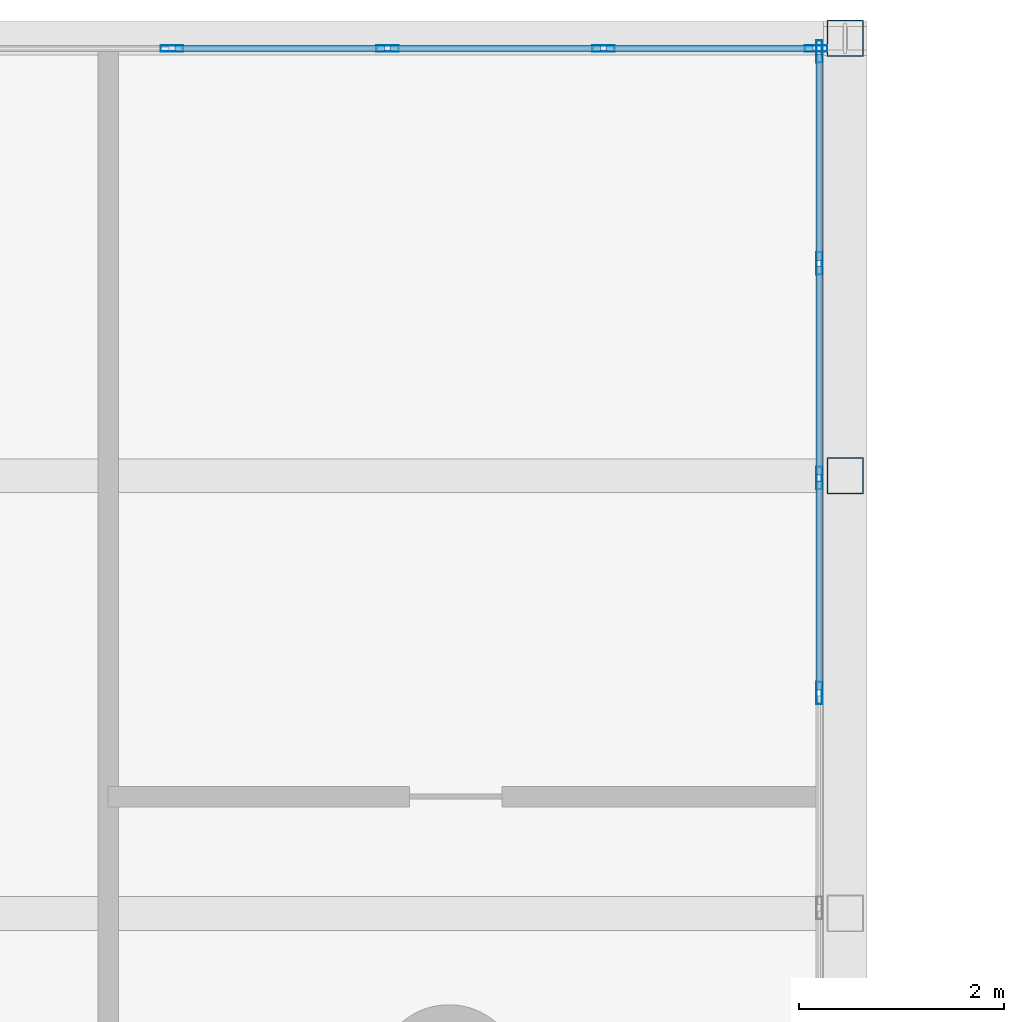
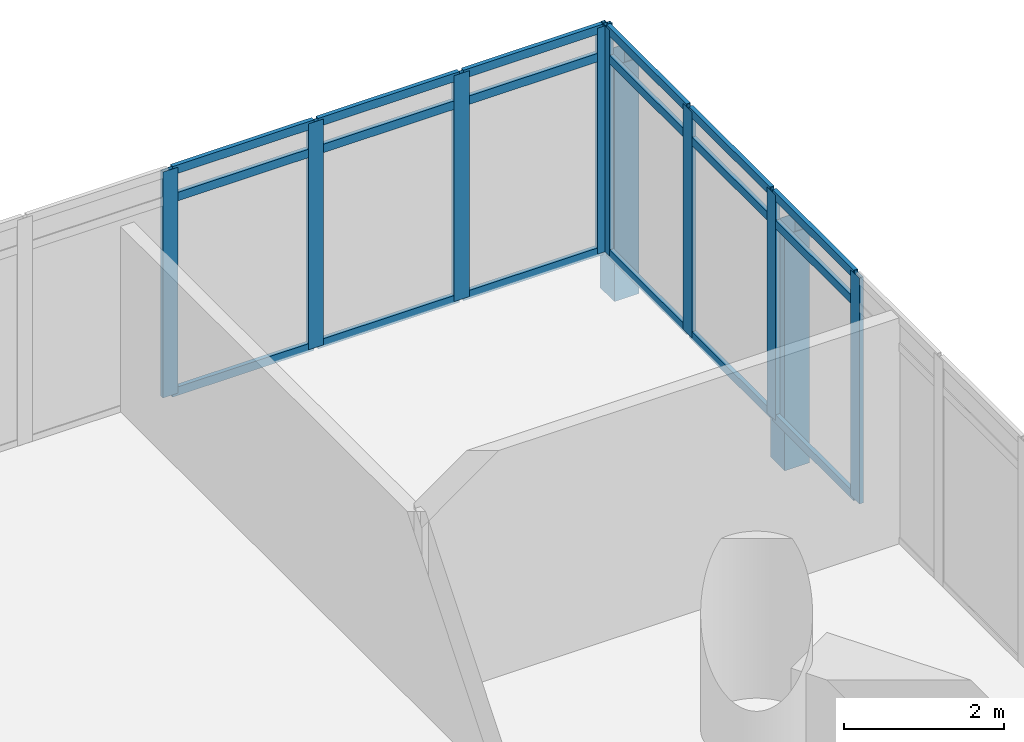
# One storey, part 26 of 38: 28 members, 2 elements without a shape of their own.
"""IFC4 building model written with IfcOpenShell, lengths in metres."""

from ifc_helpers import new_model, si_unit, direction, frame, origin, origin_2d, place, context, subcontext, project, spatial, hollow_rectangle, extrude, material, material_profile, profile_set, type_object, element, aggregate, save


model = new_model("IFC4")

# Units and contexts
model_context = context("Model", 3, precision=1e-05, world=origin(), true_north=direction((0.0, 1.0)))
body_context = subcontext(model_context, "Body", "Model", "MODEL_VIEW")
ifc_project = project(units=[si_unit("LENGTHUNIT", "METRE"), si_unit("AREAUNIT", "SQUARE_METRE"), si_unit("VOLUMEUNIT", "CUBIC_METRE"), si_unit("PLANEANGLEUNIT", "RADIAN"), si_unit("MASSUNIT", "GRAM", prefix="KILO")], contexts=[model_context])

# Site, building, storey
site_placement = place(None, origin())
site = spatial("IfcSite", under=ifc_project, at=site_placement, CompositionType="ELEMENT")
building_placement = place(site_placement, origin())
building = spatial("IfcBuilding", under=site, at=building_placement, Name="Ostrander Bayou Hotel Tower", CompositionType="ELEMENT")
storey_placement = place(building_placement, frame((0.0, 0.0, 65.5)))
storey = spatial("IfcBuildingStorey", under=building, at=storey_placement, Name="L16", CompositionType="ELEMENT", Elevation=65.5)

# Curtain wall, members
ifc_material_1 = material(Name="Aluminium and clear glass", Category="aluminium")
curtain_wall_type = type_object("IfcCurtainWallType", Name="CW-BAR glazed wall", PredefinedType="NOTDEFINED", material=ifc_material_1)
curtain_wall_1_placement = place(storey_placement, origin())
curtain_wall_1 = element("IfcCurtainWall", 1, at=curtain_wall_1_placement, inside=storey, type_object=curtain_wall_type, Name="CW-BAR L16:SB1N:T", PredefinedType="NOTDEFINED")
ifc_material_2 = material(Name="Aluminium", Category="aluminium")
ifc_material_profile_1 = material_profile(ifc_material_2, hollow_rectangle(XDim=0.06005859375, YDim=0.219970703125, WallThickness=0.00390625, at=origin_2d()))
ifc_profile_set_1 = profile_set([ifc_material_profile_1], Name="Aluminium")
member_type_1 = type_object("IfcMemberType", Name="CW-BR mullion 60 x 220 mm", PredefinedType="MULLION", material=ifc_profile_set_1)
member_1_placement = place(storey_placement, frame((8.406982421875, 30.88623046875, 0.0), z_axis=(0.0, 0.0, 1.0), x_axis=(0.0, 1.0, 0.0)))
member_1 = element("IfcMember", 2, at=member_1_placement, type_object=member_type_1, Name="CW-BAR mullion 12", PredefinedType="MULLION", context=body_context, shape_type="SweptSolid", body=[
    extrude(hollow_rectangle(XDim=0.06005859375, YDim=0.219970703125, WallThickness=0.00390625, at=origin_2d()), origin(), (0.0, 0.0, 1.0), 3.449951171875),
])
member_2_placement = place(storey_placement, frame((10.5087890625, 30.88623046875, 0.0), z_axis=(0.0, 0.0, 1.0), x_axis=(0.0, 1.0, 0.0)))
member_2 = element("IfcMember", 3, at=member_2_placement, type_object=member_type_1, Name="CW-BAR mullion 13", PredefinedType="MULLION", context=body_context, shape_type="SweptSolid", body=[
    extrude(hollow_rectangle(XDim=0.06005859375, YDim=0.219970703125, WallThickness=0.00390625, at=origin_2d()), origin(), (0.0, 0.0, 1.0), 3.449951171875),
])
member_3_placement = place(storey_placement, frame((12.6103515625, 30.88623046875, 0.0), z_axis=(0.0, 0.0, 1.0), x_axis=(0.0, 1.0, 0.0)))
member_3 = element("IfcMember", 4, at=member_3_placement, type_object=member_type_1, Name="CW-BAR mullion 14", PredefinedType="MULLION", context=body_context, shape_type="SweptSolid", body=[
    extrude(hollow_rectangle(XDim=0.06005859375, YDim=0.219970703125, WallThickness=0.00390625, at=origin_2d()), origin(), (0.0, 0.0, 1.0), 3.449951171875),
])
member_4_placement = place(storey_placement, frame((14.68212890625, 30.88623046875, 0.0), z_axis=(0.0, 0.0, 1.0), x_axis=(0.0, 1.0, 0.0)))
member_4 = element("IfcMember", 5, at=member_4_placement, type_object=member_type_1, Name="CW-BAR mullion 15", PredefinedType="MULLION", context=body_context, shape_type="SweptSolid", body=[
    extrude(hollow_rectangle(XDim=0.06005859375, YDim=0.219970703125, WallThickness=0.00390625, at=origin_2d()), origin(), (0.0, 0.0, 1.0), 3.449951171875),
])

curtain_wall_2_placement = place(storey_placement, origin())
curtain_wall_2 = element("IfcCurtainWall", 6, at=curtain_wall_2_placement, inside=storey, type_object=curtain_wall_type, Name="CW-BAR L16:SB1N:W", PredefinedType="NOTDEFINED")
member_5_placement = place(storey_placement, frame((14.712158203125, 24.60888671875, 0.0), z_axis=(0.0, 0.0, 1.0), x_axis=(-1.0, 0.0, 0.0)))
member_5 = element("IfcMember", 7, at=member_5_placement, type_object=member_type_1, Name="CW-BAR mullion 6", PredefinedType="MULLION", context=body_context, shape_type="SweptSolid", body=[
    extrude(hollow_rectangle(XDim=0.06005859375, YDim=0.219970703125, WallThickness=0.00390625, at=origin_2d()), origin(), (0.0, 0.0, 1.0), 3.449951171875),
])
member_6_placement = place(storey_placement, frame((14.712158203125, 26.701416015625, 0.0), z_axis=(0.0, 0.0, 1.0), x_axis=(-1.0, 0.0, 0.0)))
member_6 = element("IfcMember", 8, at=member_6_placement, type_object=member_type_1, Name="CW-BAR mullion 7", PredefinedType="MULLION", context=body_context, shape_type="SweptSolid", body=[
    extrude(hollow_rectangle(XDim=0.06005859375, YDim=0.219970703125, WallThickness=0.00390625, at=origin_2d()), origin(), (0.0, 0.0, 1.0), 3.449951171875),
])
member_7_placement = place(storey_placement, frame((14.712158203125, 28.793701171875, 0.0), z_axis=(0.0, 0.0, 1.0), x_axis=(-1.0, 0.0, 0.0)))
member_7 = element("IfcMember", 9, at=member_7_placement, type_object=member_type_1, Name="CW-BAR mullion 8", PredefinedType="MULLION", context=body_context, shape_type="SweptSolid", body=[
    extrude(hollow_rectangle(XDim=0.06005859375, YDim=0.219970703125, WallThickness=0.00390625, at=origin_2d()), origin(), (0.0, 0.0, 1.0), 3.449951171875),
])
member_8_placement = place(storey_placement, frame((14.712158203125, 30.856201171875, 0.0), z_axis=(0.0, 0.0, 1.0), x_axis=(-1.0, 0.0, 0.0)))
member_8 = element("IfcMember", 10, at=member_8_placement, type_object=member_type_1, Name="CW-BAR mullion 9", PredefinedType="MULLION", context=body_context, shape_type="SweptSolid", body=[
    extrude(hollow_rectangle(XDim=0.06005859375, YDim=0.219970703125, WallThickness=0.00390625, at=origin_2d()), origin(), (0.0, 0.0, 1.0), 3.449951171875),
])

# Member
ifc_material_3 = material(Name="Aluminium", Category="aluminium")
ifc_material_profile_2 = material_profile(ifc_material_3, hollow_rectangle(XDim=0.06005859375, YDim=0.1298828125, WallThickness=0.00390625, at=origin_2d()))
ifc_profile_set_2 = profile_set([ifc_material_profile_2], Name="Aluminium")
member_type_2 = type_object("IfcMemberType", Name="CW-BR transom 60 x 130 mm", PredefinedType="USERDEFINED", material=ifc_profile_set_2)
member_9_placement = place(storey_placement, frame((8.43701171875, 30.88623046875, 0.030029296875), z_axis=(1.0, 0.0, 0.0), x_axis=(0.0, 1.0, 0.0)))
member_9 = element("IfcMember", 11, at=member_9_placement, type_object=member_type_2, Name="CW-BAR transom 12.1", ObjectType="TRANSOM", PredefinedType="USERDEFINED", context=body_context, shape_type="SweptSolid", body=[
    extrude(hollow_rectangle(XDim=0.06005859375, YDim=0.1298828125, WallThickness=0.00390625, at=origin_2d()), origin(), (0.0, 0.0, 1.0), 2.041748046875),
])

member_10_placement = place(storey_placement, frame((8.43701171875, 30.88623046875, 3.0), z_axis=(1.0, 0.0, 0.0), x_axis=(0.0, 1.0, 0.0)))
member_10 = element("IfcMember", 12, at=member_10_placement, type_object=member_type_2, Name="CW-BAR transom 12.2", ObjectType="TRANSOM", PredefinedType="USERDEFINED", context=body_context, shape_type="SweptSolid", body=[
    extrude(hollow_rectangle(XDim=0.06005859375, YDim=0.1298828125, WallThickness=0.00390625, at=origin_2d()), origin(), (0.0, 0.0, 1.0), 2.041748046875),
])

member_11_placement = place(storey_placement, frame((8.43701171875, 30.88623046875, 3.419921875), z_axis=(1.0, 0.0, 0.0), x_axis=(0.0, 1.0, 0.0)))
member_11 = element("IfcMember", 13, at=member_11_placement, type_object=member_type_2, Name="CW-BAR transom 12.3", ObjectType="TRANSOM", PredefinedType="USERDEFINED", context=body_context, shape_type="SweptSolid", body=[
    extrude(hollow_rectangle(XDim=0.06005859375, YDim=0.1298828125, WallThickness=0.00390625, at=origin_2d()), origin(), (0.0, 0.0, 1.0), 2.041748046875),
])

member_12_placement = place(storey_placement, frame((10.538818359375, 30.88623046875, 0.030029296875), z_axis=(1.0, 0.0, 0.0), x_axis=(0.0, 1.0, 0.0)))
member_12 = element("IfcMember", 14, at=member_12_placement, type_object=member_type_2, Name="CW-BAR transom 13.1", ObjectType="TRANSOM", PredefinedType="USERDEFINED", context=body_context, shape_type="SweptSolid", body=[
    extrude(hollow_rectangle(XDim=0.06005859375, YDim=0.1298828125, WallThickness=0.00390625, at=origin_2d()), origin(), (0.0, 0.0, 1.0), 2.041748046875),
])

member_13_placement = place(storey_placement, frame((10.538818359375, 30.88623046875, 3.0), z_axis=(1.0, 0.0, 0.0), x_axis=(0.0, 1.0, 0.0)))
member_13 = element("IfcMember", 15, at=member_13_placement, type_object=member_type_2, Name="CW-BAR transom 13.2", ObjectType="TRANSOM", PredefinedType="USERDEFINED", context=body_context, shape_type="SweptSolid", body=[
    extrude(hollow_rectangle(XDim=0.06005859375, YDim=0.1298828125, WallThickness=0.00390625, at=origin_2d()), origin(), (0.0, 0.0, 1.0), 2.041748046875),
])

member_14_placement = place(storey_placement, frame((10.538818359375, 30.88623046875, 3.419921875), z_axis=(1.0, 0.0, 0.0), x_axis=(0.0, 1.0, 0.0)))
member_14 = element("IfcMember", 16, at=member_14_placement, type_object=member_type_2, Name="CW-BAR transom 13.3", ObjectType="TRANSOM", PredefinedType="USERDEFINED", context=body_context, shape_type="SweptSolid", body=[
    extrude(hollow_rectangle(XDim=0.06005859375, YDim=0.1298828125, WallThickness=0.00390625, at=origin_2d()), origin(), (0.0, 0.0, 1.0), 2.041748046875),
])

member_15_placement = place(storey_placement, frame((12.640380859375, 30.88623046875, 0.030029296875), z_axis=(1.0, 0.0, 0.0), x_axis=(0.0, 1.0, 0.0)))
member_15 = element("IfcMember", 17, at=member_15_placement, type_object=member_type_2, Name="CW-BAR transom 14.1", ObjectType="TRANSOM", PredefinedType="USERDEFINED", context=body_context, shape_type="SweptSolid", body=[
    extrude(hollow_rectangle(XDim=0.06005859375, YDim=0.1298828125, WallThickness=0.00390625, at=origin_2d()), origin(), (0.0, 0.0, 1.0), 2.01171875),
])

member_16_placement = place(storey_placement, frame((12.640380859375, 30.88623046875, 3.0), z_axis=(1.0, 0.0, 0.0), x_axis=(0.0, 1.0, 0.0)))
member_16 = element("IfcMember", 18, at=member_16_placement, type_object=member_type_2, Name="CW-BAR transom 14.2", ObjectType="TRANSOM", PredefinedType="USERDEFINED", context=body_context, shape_type="SweptSolid", body=[
    extrude(hollow_rectangle(XDim=0.06005859375, YDim=0.1298828125, WallThickness=0.00390625, at=origin_2d()), origin(), (0.0, 0.0, 1.0), 2.01171875),
])

member_17_placement = place(storey_placement, frame((12.640380859375, 30.88623046875, 3.419921875), z_axis=(1.0, 0.0, 0.0), x_axis=(0.0, 1.0, 0.0)))
member_17 = element("IfcMember", 19, at=member_17_placement, type_object=member_type_2, Name="CW-BAR transom 14.3", ObjectType="TRANSOM", PredefinedType="USERDEFINED", context=body_context, shape_type="SweptSolid", body=[
    extrude(hollow_rectangle(XDim=0.06005859375, YDim=0.1298828125, WallThickness=0.00390625, at=origin_2d()), origin(), (0.0, 0.0, 1.0), 2.01171875),
])

aggregate(curtain_wall_1, [member_1, member_2, member_3, member_4, member_9, member_10, member_11, member_12, member_13, member_14, member_15, member_16, member_17])

member_18_placement = place(storey_placement, frame((14.712158203125, 24.638916015625, 0.030029296875), z_axis=(0.0, 1.0, 0.0), x_axis=(-1.0, 0.0, 0.0)))
member_18 = element("IfcMember", 20, at=member_18_placement, type_object=member_type_2, Name="CW-BAR transom 6.1", ObjectType="TRANSOM", PredefinedType="USERDEFINED", context=body_context, shape_type="SweptSolid", body=[
    extrude(hollow_rectangle(XDim=0.06005859375, YDim=0.1298828125, WallThickness=0.00390625, at=origin_2d()), origin(), (0.0, 0.0, 1.0), 2.032470703125),
])

member_19_placement = place(storey_placement, frame((14.712158203125, 24.638916015625, 3.0), z_axis=(0.0, 1.0, 0.0), x_axis=(-1.0, 0.0, 0.0)))
member_19 = element("IfcMember", 21, at=member_19_placement, type_object=member_type_2, Name="CW-BAR transom 6.2", ObjectType="TRANSOM", PredefinedType="USERDEFINED", context=body_context, shape_type="SweptSolid", body=[
    extrude(hollow_rectangle(XDim=0.06005859375, YDim=0.1298828125, WallThickness=0.00390625, at=origin_2d()), origin(), (0.0, 0.0, 1.0), 2.032470703125),
])

member_20_placement = place(storey_placement, frame((14.712158203125, 24.638916015625, 3.419921875), z_axis=(0.0, 1.0, 0.0), x_axis=(-1.0, 0.0, 0.0)))
member_20 = element("IfcMember", 22, at=member_20_placement, type_object=member_type_2, Name="CW-BAR transom 6.3", ObjectType="TRANSOM", PredefinedType="USERDEFINED", context=body_context, shape_type="SweptSolid", body=[
    extrude(hollow_rectangle(XDim=0.06005859375, YDim=0.1298828125, WallThickness=0.00390625, at=origin_2d()), origin(), (0.0, 0.0, 1.0), 2.032470703125),
])

member_21_placement = place(storey_placement, frame((14.712158203125, 26.7314453125, 0.030029296875), z_axis=(0.0, 1.0, 0.0), x_axis=(-1.0, 0.0, 0.0)))
member_21 = element("IfcMember", 23, at=member_21_placement, type_object=member_type_2, Name="CW-BAR transom 7.1", ObjectType="TRANSOM", PredefinedType="USERDEFINED", context=body_context, shape_type="SweptSolid", body=[
    extrude(hollow_rectangle(XDim=0.06005859375, YDim=0.1298828125, WallThickness=0.00390625, at=origin_2d()), origin(), (0.0, 0.0, 1.0), 2.0322265625),
])

member_22_placement = place(storey_placement, frame((14.712158203125, 26.7314453125, 3.0), z_axis=(0.0, 1.0, 0.0), x_axis=(-1.0, 0.0, 0.0)))
member_22 = element("IfcMember", 24, at=member_22_placement, type_object=member_type_2, Name="CW-BAR transom 7.2", ObjectType="TRANSOM", PredefinedType="USERDEFINED", context=body_context, shape_type="SweptSolid", body=[
    extrude(hollow_rectangle(XDim=0.06005859375, YDim=0.1298828125, WallThickness=0.00390625, at=origin_2d()), origin(), (0.0, 0.0, 1.0), 2.0322265625),
])

member_23_placement = place(storey_placement, frame((14.712158203125, 26.7314453125, 3.419921875), z_axis=(0.0, 1.0, 0.0), x_axis=(-1.0, 0.0, 0.0)))
member_23 = element("IfcMember", 25, at=member_23_placement, type_object=member_type_2, Name="CW-BAR transom 7.3", ObjectType="TRANSOM", PredefinedType="USERDEFINED", context=body_context, shape_type="SweptSolid", body=[
    extrude(hollow_rectangle(XDim=0.06005859375, YDim=0.1298828125, WallThickness=0.00390625, at=origin_2d()), origin(), (0.0, 0.0, 1.0), 2.0322265625),
])

member_24_placement = place(storey_placement, frame((14.712158203125, 28.82373046875, 0.030029296875), z_axis=(0.0, 1.0, 0.0), x_axis=(-1.0, 0.0, 0.0)))
member_24 = element("IfcMember", 26, at=member_24_placement, type_object=member_type_2, Name="CW-BAR transom 8.1", ObjectType="TRANSOM", PredefinedType="USERDEFINED", context=body_context, shape_type="SweptSolid", body=[
    extrude(hollow_rectangle(XDim=0.06005859375, YDim=0.1298828125, WallThickness=0.00390625, at=origin_2d()), origin(), (0.0, 0.0, 1.0), 2.00244140625),
])

member_25_placement = place(storey_placement, frame((14.712158203125, 28.82373046875, 3.0), z_axis=(0.0, 1.0, 0.0), x_axis=(-1.0, 0.0, 0.0)))
member_25 = element("IfcMember", 27, at=member_25_placement, type_object=member_type_2, Name="CW-BAR transom 8.2", ObjectType="TRANSOM", PredefinedType="USERDEFINED", context=body_context, shape_type="SweptSolid", body=[
    extrude(hollow_rectangle(XDim=0.06005859375, YDim=0.1298828125, WallThickness=0.00390625, at=origin_2d()), origin(), (0.0, 0.0, 1.0), 2.00244140625),
])

member_26_placement = place(storey_placement, frame((14.712158203125, 28.82373046875, 3.419921875), z_axis=(0.0, 1.0, 0.0), x_axis=(-1.0, 0.0, 0.0)))
member_26 = element("IfcMember", 28, at=member_26_placement, type_object=member_type_2, Name="CW-BAR transom 8.3", ObjectType="TRANSOM", PredefinedType="USERDEFINED", context=body_context, shape_type="SweptSolid", body=[
    extrude(hollow_rectangle(XDim=0.06005859375, YDim=0.1298828125, WallThickness=0.00390625, at=origin_2d()), origin(), (0.0, 0.0, 1.0), 2.00244140625),
])

aggregate(curtain_wall_2, [member_5, member_6, member_7, member_8, member_18, member_19, member_20, member_21, member_22, member_23, member_24, member_25, member_26])

# Members
ifc_material_4 = material(Name="Steel ASTM A500 Gr C", Category="steel")
ifc_material_profile_3 = material_profile(ifc_material_4, hollow_rectangle(XDim=0.355712890625, YDim=0.355712890625, WallThickness=0.0087890625, at=origin_2d()))
ifc_profile_set_3 = profile_set([ifc_material_profile_3], Name="Steel ASTM A500 Gr C")
member_type_3 = type_object("IfcMemberType", Name="TH3 bar hanger HSS14x14x3/8", PredefinedType="POST", material=ifc_profile_set_3)
for number, where, z_axis, x_axis, name in (
    (29, (14.965087890625, 30.986083984375, -0.771728515625), (0.0, 0.0, 1.0), (1.0, 0.0, 0.0), "TH3 SB1WB H1-1"),
    (30, (14.965087890625, 26.723876953125, -0.771728515625), (0.0, 0.0, 1.0), (1.0, 0.0, 0.0), "TH3 SB1WB H2-1"),
):
    element("IfcMember", number, at=place(storey_placement, frame(where, z_axis=z_axis, x_axis=x_axis)), inside=storey, type_object=member_type_3, Name=name, PredefinedType="POST", context=body_context, shape_type="SweptSolid", body=[
        extrude(hollow_rectangle(XDim=0.355712890625, YDim=0.355712890625, WallThickness=0.0087890625, at=origin_2d()), origin(), (0.0, 0.0, 1.0), 3.599853515625),
    ])

save(model, "model.ifc")
